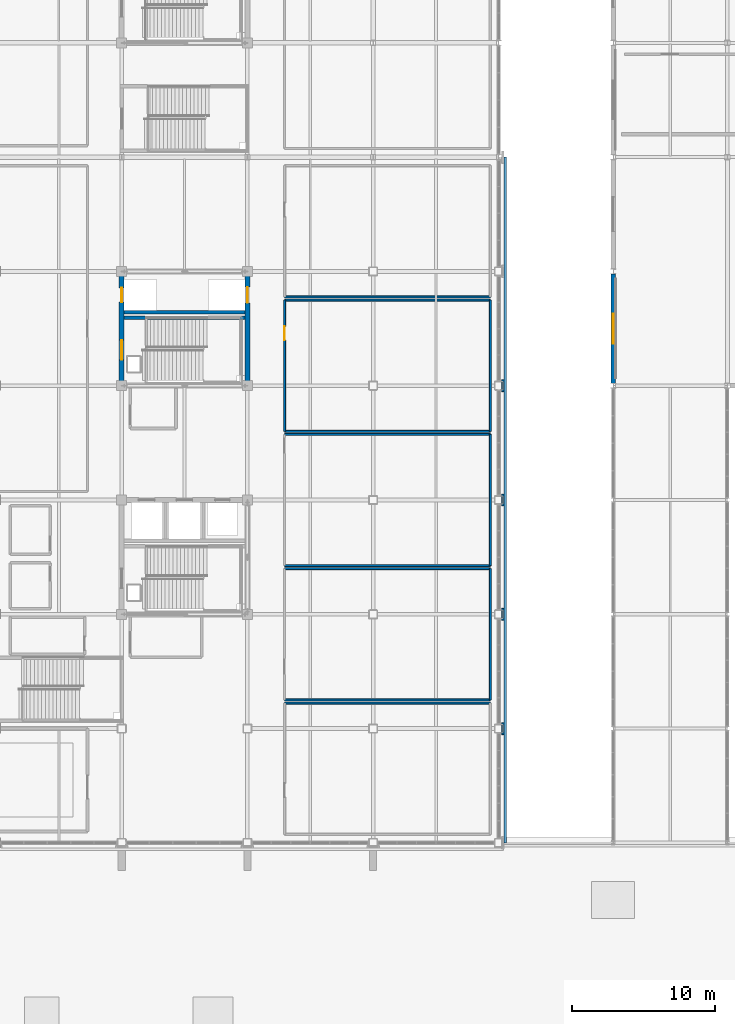
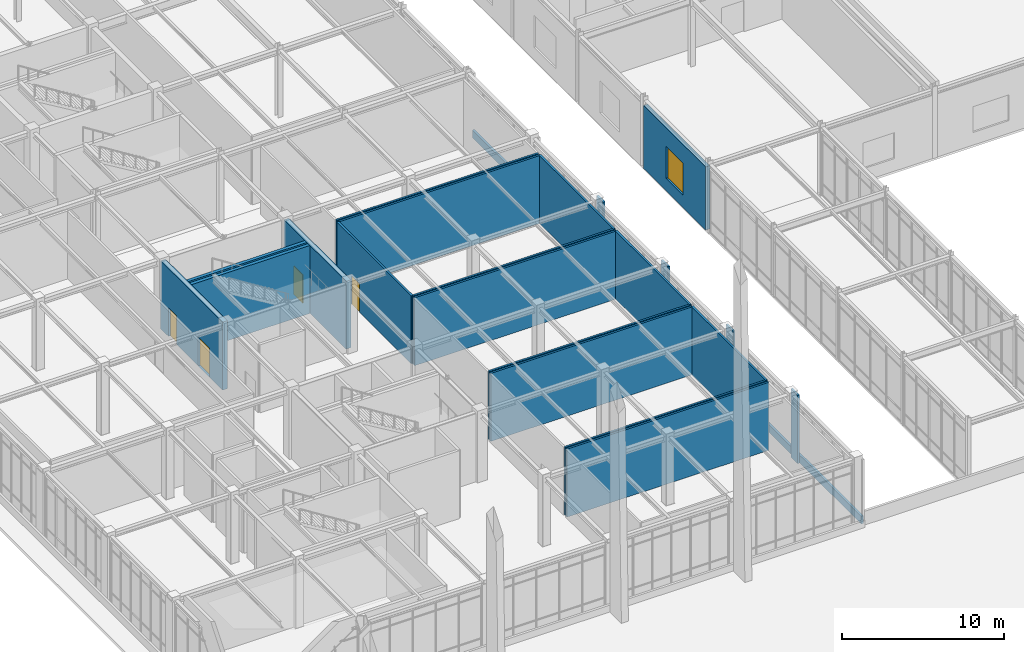
# One storey, part 88 of 108: 22 walls, 4 doors, 1 window, 5 openings.
"""IFC4 building model written with IfcOpenShell, lengths in metres."""

from ifc_helpers import new_model, si_unit, direction, frame, frame_2d, origin, place, context, subcontext, project, spatial, rectangle, extrude, material, layer, layer_set, type_object, element, fill, save


model = new_model("IFC4")

# Units and contexts
model_context = context("Model", 3, precision=1e-05, world=origin(), true_north=direction((0.0, 1.0)))
body_context = subcontext(model_context, "Body", "Model", "MODEL_VIEW")
ifc_project = project(units=[si_unit("LENGTHUNIT", "METRE"), si_unit("AREAUNIT", "SQUARE_METRE"), si_unit("VOLUMEUNIT", "CUBIC_METRE"), si_unit("PLANEANGLEUNIT", "RADIAN"), si_unit("MASSUNIT", "GRAM", prefix="KILO")], contexts=[model_context])

# Site, building, storey
site_placement = place(None, origin())
site = spatial("IfcSite", under=ifc_project, at=site_placement, CompositionType="ELEMENT")
building_placement = place(site_placement, origin())
building = spatial("IfcBuilding", under=site, at=building_placement, Name="Zhaolan Boulevard Law Courts", CompositionType="ELEMENT")
storey_placement = place(building_placement, frame((0.0, 0.0, 10.800048828125)))
storey = spatial("IfcBuildingStorey", under=building, at=storey_placement, Name="L02", CompositionType="ELEMENT", Elevation=10.800048828125)

# Wall, openings, doors
ifc_material_1 = material(Name="Concrete C50", Category="concrete")
ifc_layer_1 = layer(ifc_material_1, 0.35009765625)
ifc_layer_set_1 = layer_set([ifc_layer_1])
wall_type_1 = type_object("IfcWallType", Name="CORE SHEAR WALL 350", PredefinedType="SHEAR", material=ifc_layer_set_1)
wall_1_placement = place(storey_placement, frame((17.60009765625, 62.175048828125, 0.0), z_axis=(0.0, 0.0, 1.0), x_axis=(0.0, 1.0, 0.0)))
wall_1 = element("IfcWall", 1, at=wall_1_placement, inside=storey, type_object=wall_type_1, Name="Core Shear Wall CW-W2-L02W", PredefinedType="SHEAR", context=body_context, shape_type="SweptSolid", body=[
    extrude(rectangle(XDim=7.64990234375, YDim=0.35009765625, at=frame_2d((3.824951171875, 0.0))), origin(), (0.0, 0.0, 1.0), 5.119873046875),
])
opening_1_placement = place(wall_1_placement, frame((1.625, 0.0, 0.0)))
opening_1 = element("IfcOpeningElement", 2, at=opening_1_placement, cuts=wall_1, Name="Opening SD-L02-15", PredefinedType="OPENING", context=body_context, shape_type="SweptSolid", body=[
    extrude(rectangle(XDim=1.39990234375, YDim=2.199951171875, at=frame_2d((0.699951171875, 1.10009765625))), frame((0.0, 0.18505859375, 0.0), z_axis=(0.0, -1.0, 0.0), x_axis=(1.0, 0.0, 0.0)), (0.0, 0.0, 1.0), 0.3701171875),
])
opening_2_placement = place(wall_1_placement, frame((5.675048828125, 0.0, 0.0)))
opening_2 = element("IfcOpeningElement", 3, at=opening_2_placement, cuts=wall_1, Name="Opening LD-JL-02-L02", PredefinedType="OPENING", context=body_context, shape_type="SweptSolid", body=[
    extrude(rectangle(XDim=1.0, YDim=2.14990234375, at=frame_2d((0.5, 1.074951171875))), frame((0.0, 0.18505859375, 0.0), z_axis=(0.0, -1.0, 0.0), x_axis=(1.0, 0.0, 0.0)), (0.0, 0.0, 1.0), 0.3701171875),
])
ifc_material_2 = material(Name="Stainless steel sliding landing door", Category="steel")
door_type_1 = type_object("IfcDoorType", Name="LIFT LANDING 1000X2150", OperationType="DOUBLE_DOOR_SLIDING", PredefinedType="DOOR", material=ifc_material_2)
door_1_placement = place(opening_2_placement, origin())
door_1 = element("IfcDoor", 4, at=door_1_placement, inside=storey, type_object=door_type_1, Name="Lift Landing Sliding Door LD-JL-02-L02", OperationType="DOUBLE_DOOR_SLIDING", OverallHeight=2.14990234375, OverallWidth=1.0, PredefinedType="DOOR", context=body_context, shape_type="SweptSolid", body=[
    extrude(rectangle(XDim=1.0, YDim=2.14990234375, at=frame_2d((0.5, 1.074951171875))), frame((0.0, 0.02490234375, 0.0), z_axis=(0.0, -1.0, 0.0), x_axis=(1.0, 0.0, 0.0)), (0.0, 0.0, 1.0), 0.050048828125),
])
fill(opening_2, door_1)
ifc_material_3 = material(Name="Fire-rated steel acoustic door", Category="steel")
door_type_2 = type_object("IfcDoorType", Name="STAIR FIRE 1400X2200 L", OperationType="SINGLE_SWING_LEFT", PredefinedType="DOOR", material=ifc_material_3)
door_2_placement = place(opening_1_placement, origin())
door_2 = element("IfcDoor", 5, at=door_2_placement, inside=storey, type_object=door_type_2, Name="Smoke-Proof Stairwell Fire Door SD-L02-15", OperationType="SINGLE_SWING_LEFT", OverallHeight=2.199951171875, OverallWidth=1.39990234375, PredefinedType="DOOR", context=body_context, shape_type="SweptSolid", body=[
    extrude(rectangle(XDim=1.39990234375, YDim=2.199951171875, at=frame_2d((0.699951171875, 1.10009765625))), frame((0.0, 0.02490234375, 0.0), z_axis=(0.0, -1.0, 0.0), x_axis=(1.0, 0.0, 0.0)), (0.0, 0.0, 1.0), 0.050048828125),
])
fill(opening_1, door_2)

# Wall, opening, door
wall_2_placement = place(storey_placement, frame((26.39990234375, 62.175048828125, 0.0), z_axis=(0.0, 0.0, 1.0), x_axis=(0.0, 1.0, 0.0)))
wall_2 = element("IfcWall", 6, at=wall_2_placement, inside=storey, type_object=wall_type_1, Name="Core Shear Wall CW-W2-L02E", PredefinedType="SHEAR", context=body_context, shape_type="SweptSolid", body=[
    extrude(rectangle(XDim=7.64990234375, YDim=0.35009765625, at=frame_2d((3.824951171875, 0.0))), origin(), (0.0, 0.0, 1.0), 5.119873046875),
])
opening_3_placement = place(wall_2_placement, frame((5.625, 0.0, 0.0)))
opening_3 = element("IfcOpeningElement", 7, at=opening_3_placement, cuts=wall_2, Name="Opening LD-FL-03-L02", PredefinedType="OPENING", context=body_context, shape_type="SweptSolid", body=[
    extrude(rectangle(XDim=1.10009765625, YDim=2.14990234375, at=frame_2d((0.550048828125, 1.074951171875))), frame((0.0, 0.18505859375, 0.0), z_axis=(0.0, -1.0, 0.0), x_axis=(1.0, 0.0, 0.0)), (0.0, 0.0, 1.0), 0.3701171875),
])
ifc_material_4 = material(Name="Stainless steel sliding landing door", Category="steel")
door_type_3 = type_object("IfcDoorType", Name="LIFT LANDING 1100X2150", OperationType="DOUBLE_DOOR_SLIDING", PredefinedType="DOOR", material=ifc_material_4)
door_3_placement = place(opening_3_placement, origin())
door_3 = element("IfcDoor", 8, at=door_3_placement, inside=storey, type_object=door_type_3, Name="Lift Landing Sliding Door LD-FL-03-L02", OperationType="DOUBLE_DOOR_SLIDING", OverallHeight=2.14990234375, OverallWidth=1.10009765625, PredefinedType="DOOR", context=body_context, shape_type="SweptSolid", body=[
    extrude(rectangle(XDim=1.10009765625, YDim=2.14990234375, at=frame_2d((0.550048828125, 1.074951171875))), frame((0.0, 0.02490234375, 0.0), z_axis=(0.0, -1.0, 0.0), x_axis=(1.0, 0.0, 0.0)), (0.0, 0.0, 1.0), 0.050048828125),
])
fill(opening_3, door_3)

# Walls
ifc_material_5 = material(Name="Concrete C40", Category="concrete")
ifc_layer_2 = layer(ifc_material_5, 0.139892578125)
ifc_layer_set_2 = layer_set([ifc_layer_2])
wall_type_2 = type_object("IfcWallType", Name="EXT WALL ARCH CLAD140", PredefinedType="SOLIDWALL", material=ifc_layer_set_2)
for number, where, z_axis, x_axis, name in (
    (9, (44.280029296875, 37.580078125, 0.0), (0.0, 0.0, 1.0), (0.0, 1.0, 0.0), "Concrete Column Cloak Pier CPR-060"),
    (10, (44.280029296875, 45.580078125, 0.0), (0.0, 0.0, 1.0), (0.0, 1.0, 0.0), "Concrete Column Cloak Pier CPR-062"),
    (11, (44.280029296875, 53.580078125, 0.0), (0.0, 0.0, 1.0), (0.0, 1.0, 0.0), "Concrete Column Cloak Pier CPR-064"),
    (12, (44.280029296875, 61.580078125, 0.0), (0.0, 0.0, 1.0), (0.0, 1.0, 0.0), "Concrete Column Cloak Pier CPR-066"),
):
    element("IfcWall", number, at=place(storey_placement, frame(where, z_axis=z_axis, x_axis=x_axis)), inside=storey, type_object=wall_type_2, Name=name, PredefinedType="SOLIDWALL", context=body_context, shape_type="SweptSolid", body=[
        extrude(rectangle(XDim=0.83984375, YDim=0.139892578125, at=frame_2d((0.419921875, 0.0))), origin(), (0.0, 0.0, 1.0), 5.139892578125),
    ])
ifc_material_6 = material(Name="Concrete C40", Category="concrete")
ifc_layer_3 = layer(ifc_material_6, 0.159912109375)
ifc_layer_set_3 = layer_set([ifc_layer_3])
wall_type_3 = type_object("IfcWallType", Name="EXT WALL ARCH CLAD160", PredefinedType="SOLIDWALL", material=ifc_layer_set_3)
wall_3_placement = place(storey_placement, frame((44.43994140625, 30.0, 0.0), z_axis=(0.0, 0.0, 1.0), x_axis=(0.0, 1.0, 0.0)))
element("IfcWall", 13, at=wall_3_placement, inside=storey, type_object=wall_type_3, Name="Sculpted Concrete Spandrel Band CBW-055", PredefinedType="SOLIDWALL", context=body_context, shape_type="SweptSolid", body=[
    extrude(rectangle(XDim=48.0, YDim=0.159912109375, at=frame_2d((24.0, 0.0))), origin(), (0.0, 0.0, 1.0), 0.579833984375),
])

# Wall, opening, window
ifc_material_7 = material(Name="Concrete C40", Category="concrete")
ifc_layer_4 = layer(ifc_material_7, 0.300048828125)
ifc_layer_set_4 = layer_set([ifc_layer_4])
wall_type_4 = type_object("IfcWallType", Name="EXT WALL CONCRETE300", PredefinedType="SOLIDWALL", material=ifc_layer_set_4)
wall_4_placement = place(storey_placement, frame((52.0, 69.8291015625, 0.0), z_axis=(0.0, 0.0, 1.0), x_axis=(0.0, -1.0, 0.0)))
wall_4 = element("IfcWall", 14, at=wall_4_placement, inside=storey, type_object=wall_type_4, Name="Exterior Wall EW-L02-262", PredefinedType="SOLIDWALL", context=body_context, shape_type="SweptSolid", body=[
    extrude(rectangle(XDim=7.658203125, YDim=0.300048828125, at=frame_2d((3.8291015625, 0.0))), origin(), (0.0, 0.0, 1.0), 4.762939453125),
])
opening_4_placement = place(wall_4_placement, frame((2.779052734375, 0.0, 0.949951171875)))
opening_4 = element("IfcOpeningElement", 15, at=opening_4_placement, cuts=wall_4, Name="Opening WIN-L02-119", PredefinedType="OPENING", context=body_context, shape_type="SweptSolid", body=[
    extrude(rectangle(XDim=2.10009765625, YDim=2.39990234375, at=frame_2d((1.050048828125, 1.199951171875))), frame((0.0, 0.159912109375, 0.0), z_axis=(0.0, -1.0, 0.0), x_axis=(1.0, 0.0, 0.0)), (0.0, 0.0, 1.0), 0.320068359375),
])
ifc_material_8 = material(Name="Thermally broken aluminium and low-E glazing", Category="aluminium")
window_type = type_object("IfcWindowType", Name="WINDOW 2100X2400", PartitioningType="DOUBLE_PANEL_VERTICAL", PredefinedType="WINDOW", material=ifc_material_8)
window_placement = place(opening_4_placement, origin())
window = element("IfcWindow", 16, at=window_placement, inside=storey, type_object=window_type, Name="Exterior Window WIN-L02-119", OverallHeight=2.39990234375, OverallWidth=2.10009765625, PartitioningType="SINGLE_PANEL", PredefinedType="WINDOW", context=body_context, shape_type="SweptSolid", body=[
    extrude(rectangle(XDim=2.10009765625, YDim=2.39990234375, at=frame_2d((1.050048828125, 1.199951171875))), frame((0.0, 0.030029296875, 0.0), z_axis=(0.0, -1.0, 0.0), x_axis=(1.0, 0.0, 0.0)), (0.0, 0.0, 1.0), 0.06005859375),
])
fill(opening_4, window)

# Walls
ifc_material_9 = material(Name="Concrete C50", Category="concrete")
ifc_layer_5 = layer(ifc_material_9, 0.239990234375)
ifc_layer_set_5 = layer_set([ifc_layer_5])
wall_type_5 = type_object("IfcWallType", Name="LIFT SHAFT WALL 240", PredefinedType="SHEAR", material=ifc_layer_set_5)
wall_5_placement = place(storey_placement, frame((17.77490234375, 67.1298828125, 0.0), z_axis=(0.0, 0.0, 1.0), x_axis=(1.0, 0.0, 0.0)))
element("IfcWall", 17, at=wall_5_placement, inside=storey, type_object=wall_type_5, Name="Lift Shaft Enclosure Wall W2 (L02)", PredefinedType="SHEAR", context=body_context, shape_type="SweptSolid", body=[
    extrude(rectangle(XDim=8.4501953125, YDim=0.239990234375, at=frame_2d((4.22509765625, 0.0))), origin(), (0.0, 0.0, 1.0), 5.119873046875),
])
ifc_material_10 = material(Name="Fire-rated gypsum stud partition")
ifc_layer_6 = layer(ifc_material_10, 0.139892578125)
ifc_layer_set_6 = layer_set([ifc_layer_6])
wall_type_6 = type_object("IfcWallType", Name="PART WALL OFFICE140", PredefinedType="PARTITIONING", material=ifc_layer_set_6)
for number, where, z_axis, x_axis, name in (
    (18, (43.39990234375, 39.783935546875, 0.0), (0.0, 0.0, 1.0), (-1.0, 0.0, 0.0), "Interior Partition PW-L02-494"),
    (19, (29.0, 40.00390625, 0.0), (0.0, 0.0, 1.0), (1.0, 0.0, 0.0), "Interior Partition PW-L02-497"),
    (20, (43.39990234375, 49.18798828125, 0.0), (0.0, 0.0, 1.0), (-1.0, 0.0, 0.0), "Interior Partition PW-L02-498"),
):
    element("IfcWall", number, at=place(storey_placement, frame(where, z_axis=z_axis, x_axis=x_axis)), inside=storey, type_object=wall_type_6, Name=name, PredefinedType="PARTITIONING", context=body_context, shape_type="SweptSolid", body=[
        extrude(rectangle(XDim=14.39990234375, YDim=0.139892578125, at=frame_2d((7.199951171875, 0.0))), origin(), (0.0, 0.0, 1.0), 5.119873046875),
    ])
wall_6_placement = place(storey_placement, frame((43.39990234375, 40.00390625, 0.0), z_axis=(0.0, 0.0, 1.0), x_axis=(0.0, 1.0, 0.0)))
element("IfcWall", 21, at=wall_6_placement, inside=storey, type_object=wall_type_6, Name="Interior Partition PW-L02-500", PredefinedType="PARTITIONING", context=body_context, shape_type="SweptSolid", body=[
    extrude(rectangle(XDim=9.18408203125, YDim=0.139892578125, at=frame_2d((4.592041015625, 0.0))), origin(), (0.0, 0.0, 1.0), 5.119873046875),
])
for number, where, z_axis, x_axis, name in (
    (22, (29.0, 49.407958984375, 0.0), (0.0, 0.0, 1.0), (1.0, 0.0, 0.0), "Interior Partition PW-L02-501"),
    (23, (43.39990234375, 58.592041015625, 0.0), (0.0, 0.0, 1.0), (-1.0, 0.0, 0.0), "Interior Partition PW-L02-502"),
):
    element("IfcWall", number, at=place(storey_placement, frame(where, z_axis=z_axis, x_axis=x_axis)), inside=storey, type_object=wall_type_6, Name=name, PredefinedType="PARTITIONING", context=body_context, shape_type="SweptSolid", body=[
        extrude(rectangle(XDim=14.39990234375, YDim=0.139892578125, at=frame_2d((7.199951171875, 0.0))), origin(), (0.0, 0.0, 1.0), 5.119873046875),
    ])
wall_7_placement = place(storey_placement, frame((43.39990234375, 49.407958984375, 0.0), z_axis=(0.0, 0.0, 1.0), x_axis=(0.0, 1.0, 0.0)))
element("IfcWall", 24, at=wall_7_placement, inside=storey, type_object=wall_type_6, Name="Interior Partition PW-L02-504", PredefinedType="PARTITIONING", context=body_context, shape_type="SweptSolid", body=[
    extrude(rectangle(XDim=9.18408203125, YDim=0.139892578125, at=frame_2d((4.592041015625, 0.0))), origin(), (0.0, 0.0, 1.0), 5.119873046875),
])
for number, where, z_axis, x_axis, name in (
    (25, (29.0, 58.81201171875, 0.0), (0.0, 0.0, 1.0), (1.0, 0.0, 0.0), "Interior Partition PW-L02-505"),
    (26, (43.39990234375, 67.99609375, 0.0), (0.0, 0.0, 1.0), (-1.0, 0.0, 0.0), "Interior Partition PW-L02-506"),
):
    element("IfcWall", number, at=place(storey_placement, frame(where, z_axis=z_axis, x_axis=x_axis)), inside=storey, type_object=wall_type_6, Name=name, PredefinedType="PARTITIONING", context=body_context, shape_type="SweptSolid", body=[
        extrude(rectangle(XDim=14.39990234375, YDim=0.139892578125, at=frame_2d((7.199951171875, 0.0))), origin(), (0.0, 0.0, 1.0), 5.119873046875),
    ])

# Wall, opening, door
wall_8_placement = place(storey_placement, frame((29.0, 67.99609375, 0.0), z_axis=(0.0, 0.0, 1.0), x_axis=(0.0, -1.0, 0.0)))
wall_8 = element("IfcWall", 27, at=wall_8_placement, inside=storey, type_object=wall_type_6, Name="Interior Partition PW-L02-507", PredefinedType="PARTITIONING", context=body_context, shape_type="SweptSolid", body=[
    extrude(rectangle(XDim=9.18408203125, YDim=0.139892578125, at=frame_2d((4.592041015625, 0.0))), origin(), (0.0, 0.0, 1.0), 5.119873046875),
])
opening_5_placement = place(wall_8_placement, frame((1.81689453125, 0.0, 0.0)))
opening_5 = element("IfcOpeningElement", 28, at=opening_5_placement, cuts=wall_8, Name="Opening JD-L02-158", PredefinedType="OPENING", context=body_context, shape_type="SweptSolid", body=[
    extrude(rectangle(XDim=1.0, YDim=2.14990234375, at=frame_2d((0.5, 1.074951171875))), frame((0.0, 0.079833984375, 0.0), z_axis=(0.0, -1.0, 0.0), x_axis=(1.0, 0.0, 0.0)), (0.0, 0.0, 1.0), 0.159912109375),
])
ifc_material_11 = material(Name="Solid-core acoustic oak veneer door")
door_type_4 = type_object("IfcDoorType", Name="CHAMBER DOOR 1000X2150 L", OperationType="SINGLE_SWING_LEFT", PredefinedType="DOOR", material=ifc_material_11)
door_4_placement = place(opening_5_placement, origin())
door_4 = element("IfcDoor", 29, at=door_4_placement, inside=storey, type_object=door_type_4, Name="Door JD-L02-158 (Judges' Chambers L02-04)", OperationType="SINGLE_SWING_LEFT", OverallHeight=2.14990234375, OverallWidth=1.0, PredefinedType="DOOR", context=body_context, shape_type="SweptSolid", body=[
    extrude(rectangle(XDim=1.0, YDim=2.14990234375, at=frame_2d((0.5, 1.074951171875))), frame((0.0, 0.02490234375, 0.0), z_axis=(0.0, -1.0, 0.0), x_axis=(1.0, 0.0, 0.0)), (0.0, 0.0, 1.0), 0.050048828125),
])
fill(opening_5, door_4)

# Walls
wall_9_placement = place(storey_placement, frame((43.39990234375, 58.81201171875, 0.0), z_axis=(0.0, 0.0, 1.0), x_axis=(0.0, 1.0, 0.0)))
element("IfcWall", 30, at=wall_9_placement, inside=storey, type_object=wall_type_6, Name="Interior Partition PW-L02-508", PredefinedType="PARTITIONING", context=body_context, shape_type="SweptSolid", body=[
    extrude(rectangle(XDim=9.18408203125, YDim=0.139892578125, at=frame_2d((4.592041015625, 0.0))), origin(), (0.0, 0.0, 1.0), 5.119873046875),
])
wall_10_placement = place(storey_placement, frame((29.0, 68.216064453125, 0.0), z_axis=(0.0, 0.0, 1.0), x_axis=(1.0, 0.0, 0.0)))
element("IfcWall", 31, at=wall_10_placement, inside=storey, type_object=wall_type_6, Name="Interior Partition PW-L02-509", PredefinedType="PARTITIONING", context=body_context, shape_type="SweptSolid", body=[
    extrude(rectangle(XDim=14.39990234375, YDim=0.139892578125, at=frame_2d((7.199951171875, 0.0))), origin(), (0.0, 0.0, 1.0), 5.119873046875),
])
ifc_material_12 = material(Name="Concrete C50", Category="concrete")
ifc_layer_7 = layer(ifc_material_12, 0.239990234375)
ifc_layer_set_7 = layer_set([ifc_layer_7])
wall_type_7 = type_object("IfcWallType", Name="STAIR WELL WALL 240", PredefinedType="SHEAR", material=ifc_layer_set_7)
wall_11_placement = place(storey_placement, frame((17.77490234375, 66.75, 0.0), z_axis=(0.0, 0.0, 1.0), x_axis=(1.0, 0.0, 0.0)))
element("IfcWall", 32, at=wall_11_placement, inside=storey, type_object=wall_type_7, Name="Stairwell Divider Shear Wall ST02-L02N", PredefinedType="SHEAR", context=body_context, shape_type="SweptSolid", body=[
    extrude(rectangle(XDim=8.4501953125, YDim=0.239990234375, at=frame_2d((4.22509765625, 0.0))), origin(), (0.0, 0.0, 1.0), 5.119873046875),
])

save(model, "model.ifc")
